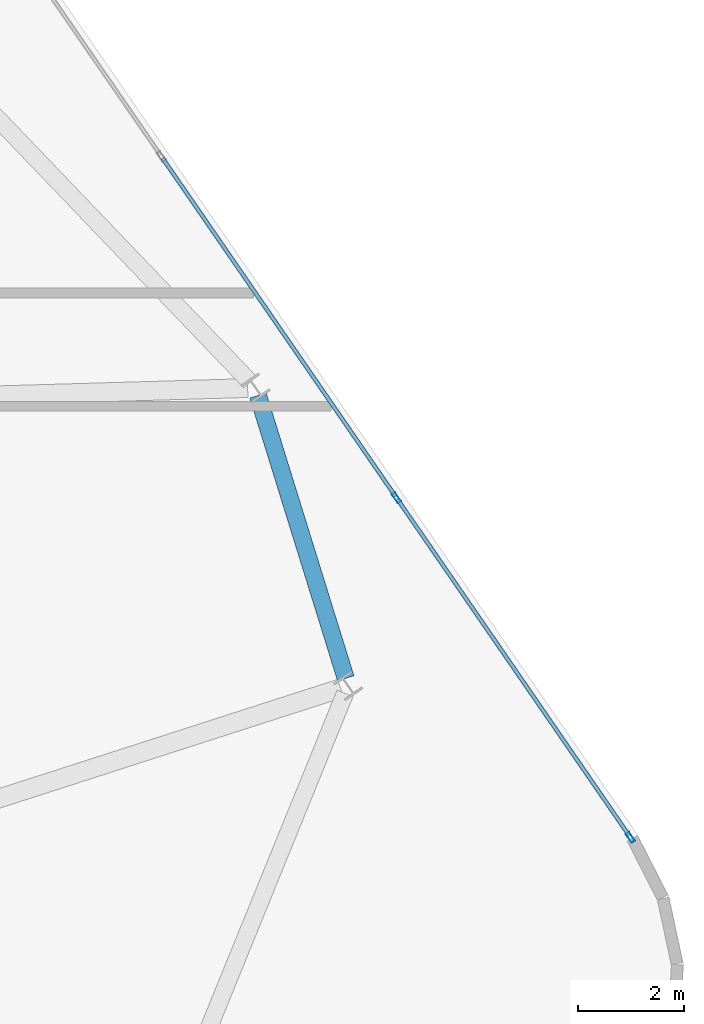
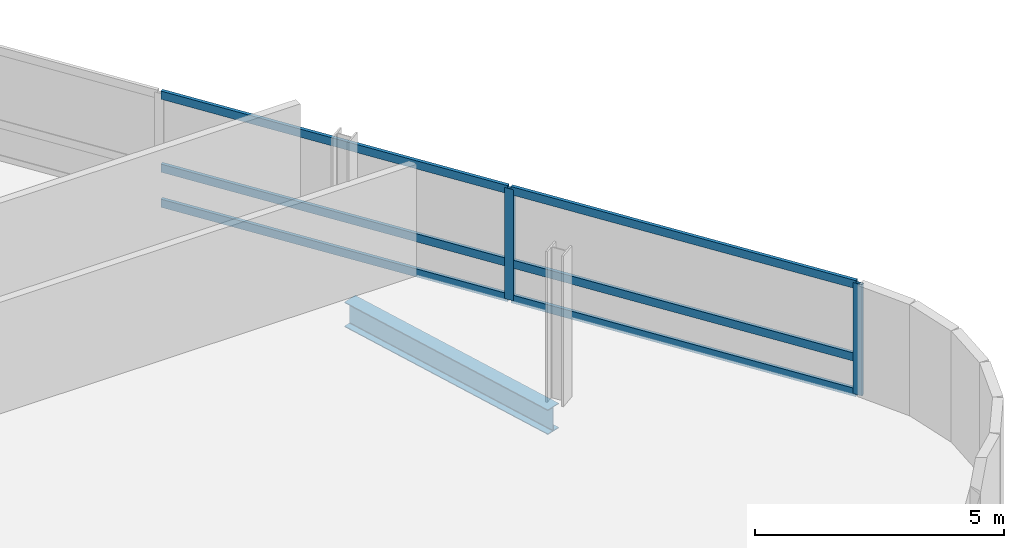
# One storey, part 11 of 21: 8 members, 1 beam, 1 element without a shape of its own.
"""IFC4 building model written with IfcOpenShell, lengths in metres."""

from ifc_helpers import new_model, si_unit, direction, frame, origin, origin_2d, place, context, subcontext, project, spatial, hollow_rectangle, i_section, extrude, material, layer, layer_set, material_profile, profile_set, type_object, element, aggregate, save


model = new_model("IFC4")

# Units and contexts
model_context = context("Model", 3, precision=1e-05, world=origin(), true_north=direction((0.0, 1.0)))
body_context = subcontext(model_context, "Body", "Model", "MODEL_VIEW")
ifc_project = project(units=[si_unit("LENGTHUNIT", "METRE"), si_unit("AREAUNIT", "SQUARE_METRE"), si_unit("VOLUMEUNIT", "CUBIC_METRE"), si_unit("PLANEANGLEUNIT", "RADIAN"), si_unit("MASSUNIT", "GRAM", prefix="KILO")], contexts=[model_context])

# Site, building, storey
site_placement = place(None, origin())
site = spatial("IfcSite", under=ifc_project, at=site_placement, CompositionType="ELEMENT")
building_placement = place(site_placement, origin())
building = spatial("IfcBuilding", under=site, at=building_placement, Name="Varnelok Gate Tower", CompositionType="ELEMENT")
storey_placement = place(building_placement, frame((0.0, 0.0, 261.89990234375)))
storey = spatial("IfcBuildingStorey", under=building, at=storey_placement, Name="L67", CompositionType="ELEMENT", Elevation=261.89990234375)

# Beam
ifc_material_1 = material(Name="Structural Steel ASTM A992 Grade 50", Category="steel")
ifc_material_profile_1 = material_profile(ifc_material_1, i_section(OverallWidth=0.323974609375, OverallDepth=0.611083984375, WebThickness=0.0126953125, FlangeThickness=0.01904296875, FilletRadius=0.01806640625, at=origin_2d()), Name="W24X104")
ifc_profile_set_1 = profile_set([ifc_material_profile_1], Name="Structural Steel ASTM A992 Grade 50")
beam_type = type_object("IfcBeamType", Name="BM-SPN-W24X104", PredefinedType="SPANDREL", material=ifc_profile_set_1)
beam_placement = place(storey_placement, frame((69.8125, 34.1748046875, -0.555419921875), z_axis=(-0.296340003452, 0.955082510757, 0.0), x_axis=(-0.955082510757, -0.296340003452, 0.0)))
element("IfcBeam", 1, at=beam_placement, inside=storey, type_object=beam_type, Name="L67 Perimeter Spandrel Beam 6", PredefinedType="SPANDREL", context=body_context, shape_type="SweptSolid", body=[
    extrude(i_section(OverallWidth=0.323974609375, OverallDepth=0.611083984375, WebThickness=0.0126953125, FlangeThickness=0.01904296875, FilletRadius=0.01806640625, at=origin_2d()), origin(), (0.0, 0.0, 1.0), 5.57666015625),
])

# Curtain wall, members
ifc_material_2 = material(Name="Anodized Aluminum Alloy 6063-T6", Category="aluminium")
ifc_layer = layer(ifc_material_2, 0.179931640625)
ifc_layer_set = layer_set([ifc_layer], Name="Anodized Aluminum Alloy 6063-T6")
curtain_wall_type = type_object("IfcCurtainWallType", Name="CW4-RESIDENCE-VISION", PredefinedType="USERDEFINED", material=ifc_layer_set)
curtain_wall_placement = place(storey_placement, origin())
curtain_wall = element("IfcCurtainWall", 2, at=curtain_wall_placement, inside=storey, type_object=curtain_wall_type, Name="L67 East End Vision Curtain Wall", ObjectType="UNITISED CURTAIN WALL", PredefinedType="USERDEFINED")
ifc_material_profile_2 = material_profile(ifc_material_2, hollow_rectangle(XDim=0.074951171875, YDim=0.199951171875, WallThickness=0.00390625, at=origin_2d()), Name="ALU200X75X4")
ifc_profile_set_2 = profile_set([ifc_material_profile_2], Name="Anodized Aluminum Alloy 6063-T6")
member_type_1 = type_object("IfcMemberType", Name="CW-MULL-200", PredefinedType="MULLION", material=ifc_profile_set_2)
member_1_placement = place(storey_placement, frame((70.768310546875, 37.57373046875, 0.0), z_axis=(0.0, 0.0, 1.0), x_axis=(0.823532290241, 0.567269395376, 0.0)))
member_1 = element("IfcMember", 3, at=member_1_placement, type_object=member_type_1, Name="CW4 mullion 4", PredefinedType="MULLION", context=body_context, shape_type="SweptSolid", body=[
    extrude(hollow_rectangle(XDim=0.074951171875, YDim=0.199951171875, WallThickness=0.00390625, at=origin_2d()), origin(), (0.0, 0.0, 1.0), 2.72998046875),
])
member_2_placement = place(storey_placement, frame((75.171630859375, 31.180908203125, 0.0), z_axis=(0.0, 0.0, 1.0), x_axis=(0.823532290241, 0.567269395376, 0.0)))
member_2 = element("IfcMember", 4, at=member_2_placement, type_object=member_type_1, Name="CW4 mullion 5", PredefinedType="MULLION", context=body_context, shape_type="SweptSolid", body=[
    extrude(hollow_rectangle(XDim=0.074951171875, YDim=0.199951171875, WallThickness=0.00390625, at=origin_2d()), origin(), (0.0, 0.0, 1.0), 2.72998046875),
])
ifc_material_profile_3 = material_profile(ifc_material_2, hollow_rectangle(XDim=0.074951171875, YDim=0.199951171875, WallThickness=0.00390625, at=origin_2d()), Name="ALU200X75X4")
ifc_profile_set_3 = profile_set([ifc_material_profile_3], Name="Anodized Aluminum Alloy 6063-T6")
member_type_2 = type_object("IfcMemberType", Name="CW-TRAN-200", PredefinedType="USERDEFINED", material=ifc_profile_set_3)
member_3_placement = place(storey_placement, frame((66.364990234375, 43.96630859375, 0.03759765625), z_axis=(0.567260941086, -0.823538113701, 0.0), x_axis=(0.823538113701, 0.567260941086, 0.0)))
member_3 = element("IfcMember", 5, at=member_3_placement, type_object=member_type_2, Name="CW4 transom 3.1", ObjectType="TRANSOM", PredefinedType="USERDEFINED", context=body_context, shape_type="SweptSolid", body=[
    extrude(hollow_rectangle(XDim=0.074951171875, YDim=0.199951171875, WallThickness=0.00390625, at=origin_2d()), origin(), (0.0, 0.0, 1.0), 7.72509765625),
])
member_4_placement = place(storey_placement, frame((66.364990234375, 43.96630859375, 0.900146484375), z_axis=(0.567260941086, -0.823538113701, 0.0), x_axis=(0.823538113701, 0.567260941086, 0.0)))
member_4 = element("IfcMember", 6, at=member_4_placement, type_object=member_type_2, Name="CW4 transom 3.2", ObjectType="TRANSOM", PredefinedType="USERDEFINED", context=body_context, shape_type="SweptSolid", body=[
    extrude(hollow_rectangle(XDim=0.074951171875, YDim=0.199951171875, WallThickness=0.00390625, at=origin_2d()), origin(), (0.0, 0.0, 1.0), 7.72509765625),
])
member_5_placement = place(storey_placement, frame((66.364990234375, 43.96630859375, 2.692626953125), z_axis=(0.567260941086, -0.823538113701, 0.0), x_axis=(0.823538113701, 0.567260941086, 0.0)))
member_5 = element("IfcMember", 7, at=member_5_placement, type_object=member_type_2, Name="CW4 transom 3.3", ObjectType="TRANSOM", PredefinedType="USERDEFINED", context=body_context, shape_type="SweptSolid", body=[
    extrude(hollow_rectangle(XDim=0.074951171875, YDim=0.199951171875, WallThickness=0.00390625, at=origin_2d()), origin(), (0.0, 0.0, 1.0), 7.72509765625),
])
member_6_placement = place(storey_placement, frame((70.78955078125, 37.542724609375, 0.03759765625), z_axis=(0.567271254331, -0.823531009744, 0.0), x_axis=(0.823531009744, 0.567271254331, 0.0)))
member_6 = element("IfcMember", 8, at=member_6_placement, type_object=member_type_2, Name="CW4 transom 4.1", ObjectType="TRANSOM", PredefinedType="USERDEFINED", context=body_context, shape_type="SweptSolid", body=[
    extrude(hollow_rectangle(XDim=0.074951171875, YDim=0.199951171875, WallThickness=0.00390625, at=origin_2d()), origin(), (0.0, 0.0, 1.0), 7.6875),
])
member_7_placement = place(storey_placement, frame((70.78955078125, 37.542724609375, 0.900146484375), z_axis=(0.567271254331, -0.823531009744, 0.0), x_axis=(0.823531009744, 0.567271254331, 0.0)))
member_7 = element("IfcMember", 9, at=member_7_placement, type_object=member_type_2, Name="CW4 transom 4.2", ObjectType="TRANSOM", PredefinedType="USERDEFINED", context=body_context, shape_type="SweptSolid", body=[
    extrude(hollow_rectangle(XDim=0.074951171875, YDim=0.199951171875, WallThickness=0.00390625, at=origin_2d()), origin(), (0.0, 0.0, 1.0), 7.6875),
])
member_8_placement = place(storey_placement, frame((70.78955078125, 37.542724609375, 2.692626953125), z_axis=(0.567271254331, -0.823531009744, 0.0), x_axis=(0.823531009744, 0.567271254331, 0.0)))
member_8 = element("IfcMember", 10, at=member_8_placement, type_object=member_type_2, Name="CW4 transom 4.3", ObjectType="TRANSOM", PredefinedType="USERDEFINED", context=body_context, shape_type="SweptSolid", body=[
    extrude(hollow_rectangle(XDim=0.074951171875, YDim=0.199951171875, WallThickness=0.00390625, at=origin_2d()), origin(), (0.0, 0.0, 1.0), 7.6875),
])
aggregate(curtain_wall, [member_1, member_2, member_3, member_4, member_5, member_6, member_7, member_8])

save(model, "model.ifc")
